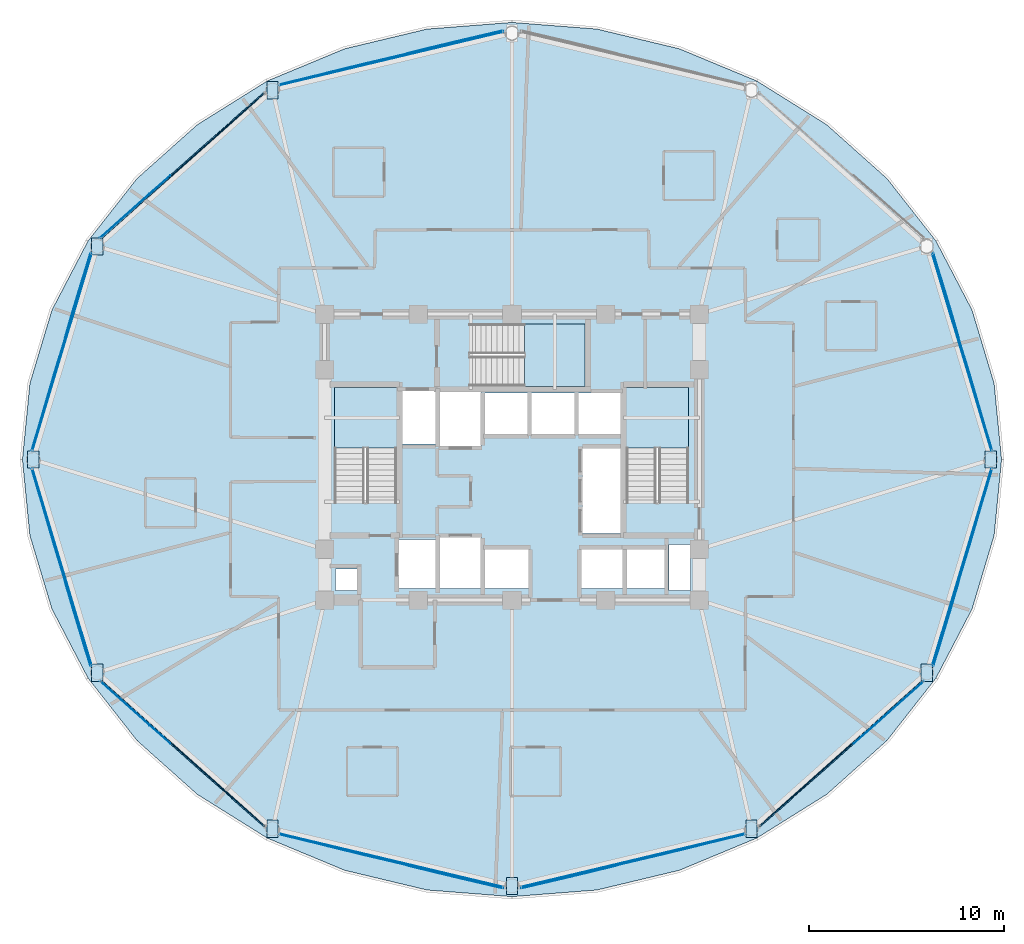
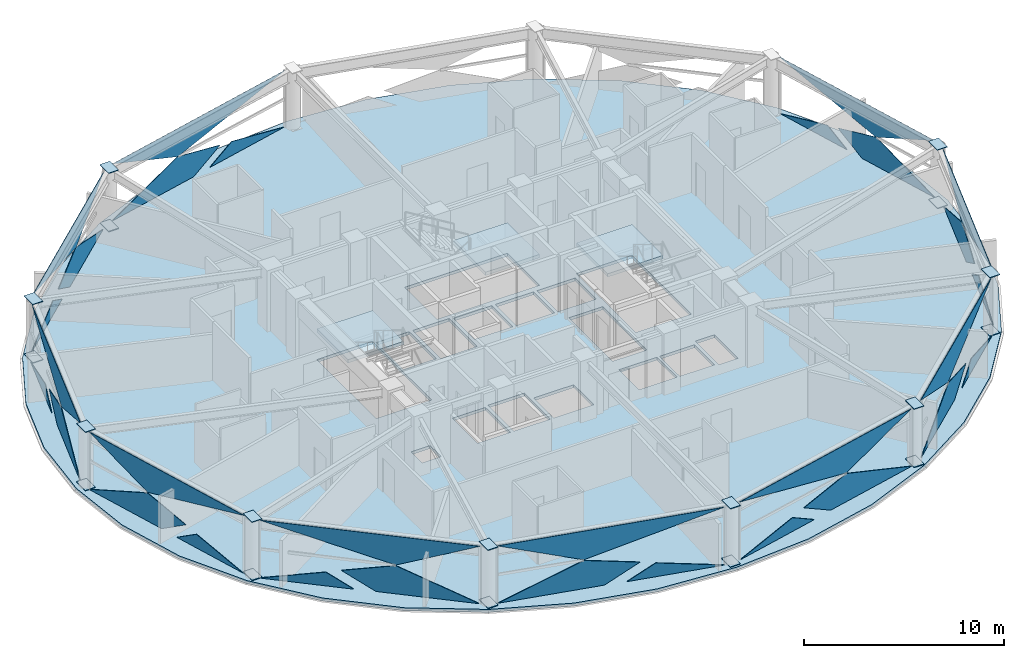
# One storey, part 21 of 29: 48 plates, 4 slabs, 13 elements without a shape of their own.
"""IFC4 building model written with IfcOpenShell, lengths in metres."""

from ifc_helpers import new_model, si_unit, direction, frame, origin, place, context, subcontext, project, spatial, polyline, outline, extrude, material, layer, layer_set, type_object, element, aggregate, save


model = new_model("IFC4")

# Units and contexts
model_context = context("Model", 3, precision=1e-05, world=origin(), true_north=direction((0.0, 1.0)))
body_context = subcontext(model_context, "Body", "Model", "MODEL_VIEW")
ifc_project = project(units=[si_unit("LENGTHUNIT", "METRE"), si_unit("AREAUNIT", "SQUARE_METRE"), si_unit("VOLUMEUNIT", "CUBIC_METRE"), si_unit("PLANEANGLEUNIT", "RADIAN"), si_unit("MASSUNIT", "GRAM", prefix="KILO")], contexts=[model_context])

# Site, building, storey
site_placement = place(None, origin())
site = spatial("IfcSite", under=ifc_project, at=site_placement, CompositionType="ELEMENT")
building_placement = place(site_placement, origin())
building = spatial("IfcBuilding", under=site, at=building_placement, Name="Vantalir Tower", CompositionType="ELEMENT")
storey_placement = place(building_placement, frame((0.0, 0.0, 168.449951171875)))
storey = spatial("IfcBuildingStorey", under=building, at=storey_placement, Name="L42", CompositionType="ELEMENT", Elevation=168.449951171875)

# Curtain wall, plates
ifc_material_1 = material(Name="Champagne-silver PVDF aluminium and double-silver Low-E glass", Category="aluminium")
ifc_layer_1 = layer(ifc_material_1, 0.199951171875)
ifc_layer_set_1 = layer_set([ifc_layer_1], Name="Champagne-silver PVDF aluminium and double-silver Low-E glass")
curtain_wall_type = type_object("IfcCurtainWallType", Name="CW-DIAMOND-Z2", PredefinedType="USERDEFINED", material=ifc_layer_set_1)
curtain_wall_1_placement = place(storey_placement, origin())
curtain_wall_1 = element("IfcCurtainWall", 1, at=curtain_wall_1_placement, inside=storey, type_object=curtain_wall_type, Name="L42 Quilted Pyramid-Diamond Curtain Wall S01", ObjectType="UNITISED CURTAIN WALL", PredefinedType="USERDEFINED")
ifc_material_2 = material(Name="Double-silver Low-E laminated glass IGU", Category="glass")
ifc_layer_2 = layer(ifc_material_2, 0.028076171875)
ifc_layer_set_2 = layer_set([ifc_layer_2], Name="Double-silver Low-E laminated glass IGU")
plate_type_1 = type_object("IfcPlateType", Name="CWP-IGU-28", PredefinedType="CURTAIN_PANEL", material=ifc_layer_set_2)
plate_1_placement = place(storey_placement, frame((56.094970703125, 25.435546875, 0.046875), z_axis=(-0.957573752329, -0.287866085669, 0.013624447617), x_axis=(-0.287893445484, 0.957662446612, -4.8953519e-05)))
plate_1 = element("IfcPlate", 2, at=plate_1_placement, type_object=plate_type_1, Name="CW-L42-S01 Pyramid Diamond Facet 1L", PredefinedType="CURTAIN_PANEL", context=body_context, shape_type="SweptSolid", body=[
    extrude(outline(polyline([(0.0, 0.0), (4.978850109795575, 4.87890977618477e-18), (6.6471771189814195, -1.0382635694359499), (4.029203852133933, -1.7264321153298385), (0.0, 0.0)])), origin(), (0.0, 0.0, -1.0), 0.028076171875),
])
plate_2_placement = place(storey_placement, frame((54.3818359375, 31.2451171875, 0.046142578125), z_axis=(-0.957560150155, -0.287907960012, 0.013695451686), x_axis=(-0.287934964596, 0.957649965365, 0.0)))
plate_2 = element("IfcPlate", 3, at=plate_2_placement, type_object=plate_type_1, Name="CW-L42-S01 Pyramid Diamond Facet 1L Infill Light", PredefinedType="CURTAIN_PANEL", context=body_context, shape_type="SweptSolid", body=[
    extrude(outline(polyline([(0.0, 0.0), (4.53966717131275, 0.0), (1.3482225675450932, -0.8389458697972081), (0.0, 0.0)])), origin(), (0.0, 0.0, -1.0), 0.028076171875),
])
plate_3_placement = place(storey_placement, frame((53.0439453125, 35.583251953125, 3.5234375), z_axis=(0.957561552516, 0.287901671893, 0.013729547088), x_axis=(0.287929113413, -0.957651724333, -2.3039859e-05)))
plate_3 = element("IfcPlate", 4, at=plate_3_placement, type_object=plate_type_1, Name="CW-L42-S01 Pyramid Diamond Facet 2U", PredefinedType="CURTAIN_PANEL", context=body_context, shape_type="SweptSolid", body=[
    extrude(outline(polyline([(0.0, 0.0), (10.596446307439443, 1.805196617188365e-17), (6.5671986026156315, 1.7263297671545073), (0.0, 0.0)])), origin(), (0.0, 0.0, -1.0), 0.028076171875),
])
aggregate(curtain_wall_1, [plate_1, plate_2, plate_3])

curtain_wall_2_placement = place(storey_placement, origin())
curtain_wall_2 = element("IfcCurtainWall", 5, at=curtain_wall_2_placement, inside=storey, type_object=curtain_wall_type, Name="L42 Quilted Pyramid-Diamond Curtain Wall S04", ObjectType="UNITISED CURTAIN WALL", PredefinedType="USERDEFINED")
plate_4_placement = place(storey_placement, frame((24.989990234375, 45.48291015625, 0.046630859375), z_axis=(0.232304514351, -0.972546338374, 0.01371977873), x_axis=(-0.972637884866, -0.232326375865, 3.88302e-07)))
plate_4 = element("IfcPlate", 6, at=plate_4_placement, type_object=plate_type_1, Name="CW-L42-S04 Pyramid Diamond Facet 1L", PredefinedType="CURTAIN_PANEL", context=body_context, shape_type="SweptSolid", body=[
    extrude(outline(polyline([(0.0, 0.0), (5.562818435513051, 3.469446951953614e-18), (1.075435869081882, -1.7269687663563398), (-1.8428300382587348, -1.0376982006502644), (0.0, 0.0)])), origin(), (0.0, 0.0, -1.0), 0.028076171875),
])
plate_5_placement = place(storey_placement, frame((31.050048828125, 46.96337890625, 0.0458984375), z_axis=(0.232296528149, -0.972546549028, 0.013839544179), x_axis=(-0.972639853254, -0.232318130051, 4.8079083e-05)))
plate_5 = element("IfcPlate", 7, at=plate_5_placement, type_object=plate_type_1, Name="CW-L42-S04 Pyramid Diamond Facet 1L Infill Light", PredefinedType="CURTAIN_PANEL", context=body_context, shape_type="SweptSolid", body=[
    extrude(outline(polyline([(0.0, 0.0), (5.077896846634379, -3.957337929572091e-18), (3.577880417257544, -0.8448795979208542), (0.0, 0.0)])), origin(), (0.0, 0.0, -1.0), 0.028076171875),
])
plate_6_placement = place(storey_placement, frame((19.579345703125, 44.190673828125, 3.5234375), z_axis=(-0.232303023776, 0.972547910017, 0.013633336603), x_axis=(0.972638370644, 0.232324341217, 2.0687831e-05)))
plate_6 = element("IfcPlate", 8, at=plate_6_placement, type_object=plate_type_1, Name="CW-L42-S04 Pyramid Diamond Facet 2U", PredefinedType="CURTAIN_PANEL", context=body_context, shape_type="SweptSolid", body=[
    extrude(outline(polyline([(0.0, 0.0), (11.80117074424039, -3.144186300207963e-18), (4.487347462866584, 1.7270599844166414), (0.0, 0.0)])), origin(), (0.0, 0.0, -1.0), 0.028076171875),
])
aggregate(curtain_wall_2, [plate_4, plate_5, plate_6])

curtain_wall_3_placement = place(storey_placement, origin())
curtain_wall_3 = element("IfcCurtainWall", 9, at=curtain_wall_3_placement, inside=storey, type_object=curtain_wall_type, Name="L42 Quilted Pyramid-Diamond Curtain Wall S05", ObjectType="UNITISED CURTAIN WALL", PredefinedType="USERDEFINED")
plate_7_placement = place(storey_placement, frame((18.79736328125, 43.7822265625, 0.046630859375), z_axis=(0.66529281519, -0.74645528551, 0.013783206841), x_axis=(-0.746526202019, -0.665356017257, 1.97824e-07)))
plate_7 = element("IfcPlate", 10, at=plate_7_placement, type_object=plate_type_1, Name="CW-L42-S05 Pyramid Diamond Facet 1L", PredefinedType="CURTAIN_PANEL", context=body_context, shape_type="SweptSolid", body=[
    extrude(outline(polyline([(0.0, 0.0), (5.277305557167832, -6.938893903907228e-18), (7.035841318259357, -1.0384273294963968), (4.267792330551532, -1.726726726497914), (0.0, 0.0)])), origin(), (0.0, 0.0, -1.0), 0.028076171875),
])
plate_8_placement = place(storey_placement, frame((13.999755859375, 39.54931640625, 0.046142578125), z_axis=(0.66528929242, -0.74646046733, 0.013672165296), x_axis=(-0.746530244333, -0.665351481772, 0.0)))
plate_8 = element("IfcPlate", 11, at=plate_8_placement, type_object=plate_type_1, Name="CW-L42-S05 Pyramid Diamond Facet 1L Infill Light", PredefinedType="CURTAIN_PANEL", context=body_context, shape_type="SweptSolid", body=[
    extrude(outline(polyline([(0.0, 0.0), (4.814918684356959, -6.938893903907228e-18), (1.4267219611490356, -0.8423638906720254), (0.0, 0.0)])), origin(), (0.0, 0.0, -1.0), 0.028076171875),
])
plate_9_placement = place(storey_placement, frame((10.426513671875, 36.32177734375, 3.523681640625), z_axis=(-0.665280940162, 0.746465782553, 0.013787898117), x_axis=(0.746536546597, 0.665344410153, -2.1773166e-05)))
plate_9 = element("IfcPlate", 12, at=plate_9_placement, type_object=plate_type_1, Name="CW-L42-S05 Pyramid Diamond Facet 2U", PredefinedType="CURTAIN_PANEL", context=body_context, shape_type="SweptSolid", body=[
    extrude(outline(polyline([(0.0, 0.0), (11.212913349702017, -6.451002926288751e-18), (6.945158583752432, 1.72681957024127), (0.0, 0.0)])), origin(), (0.0, 0.0, -1.0), 0.028076171875),
])
aggregate(curtain_wall_3, [plate_7, plate_8, plate_9])

curtain_wall_4_placement = place(storey_placement, origin())
curtain_wall_4 = element("IfcCurtainWall", 13, at=curtain_wall_4_placement, inside=storey, type_object=curtain_wall_type, Name="L42 Quilted Pyramid-Diamond Curtain Wall S06", ObjectType="UNITISED CURTAIN WALL", PredefinedType="USERDEFINED")
plate_10_placement = place(storey_placement, frame((8.33837890625, 30.20361328125, 0.046630859375), z_axis=(0.957573752329, -0.287866085669, 0.013624447617), x_axis=(-0.287893445484, -0.957662446612, 4.8953519e-05)))
plate_10 = element("IfcPlate", 14, at=plate_10_placement, type_object=plate_type_1, Name="CW-L42-S06 Pyramid Diamond Facet 1L", PredefinedType="CURTAIN_PANEL", context=body_context, shape_type="SweptSolid", body=[
    extrude(outline(polyline([(0.0, 0.0), (4.978850109795575, -4.87890977618477e-18), (0.9496462576616409, -1.7264321153298383), (-1.668327009185845, -1.0382635694359499), (0.0, 0.0)])), origin(), (0.0, 0.0, -1.0), 0.028076171875),
])
plate_11_placement = place(storey_placement, frame((9.92529296875, 35.592529296875, 0.046142578125), z_axis=(0.957560150155, -0.287907960012, 0.013695451686), x_axis=(-0.287934964596, -0.957649965365, 0.0)))
plate_11 = element("IfcPlate", 15, at=plate_11_placement, type_object=plate_type_1, Name="CW-L42-S06 Pyramid Diamond Facet 1L Infill Light", PredefinedType="CURTAIN_PANEL", context=body_context, shape_type="SweptSolid", body=[
    extrude(outline(polyline([(0.0, 0.0), (4.53966717131275, 0.0), (3.1914446037676574, -0.8389458697972081), (0.0, 0.0)])), origin(), (0.0, 0.0, -1.0), 0.028076171875),
])
plate_12_placement = place(storey_placement, frame((6.905029296875, 25.435546875, 3.523193359375), z_axis=(-0.957561552516, 0.287901671893, 0.013729547088), x_axis=(0.287929113413, 0.957651724333, 2.3039859e-05)))
plate_12 = element("IfcPlate", 16, at=plate_12_placement, type_object=plate_type_1, Name="CW-L42-S06 Pyramid Diamond Facet 2U", PredefinedType="CURTAIN_PANEL", context=body_context, shape_type="SweptSolid", body=[
    extrude(outline(polyline([(0.0, 0.0), (10.596446307439443, -1.805196617188365e-17), (4.0292477048238124, 1.7263297671545075), (0.0, 0.0)])), origin(), (0.0, 0.0, -1.0), 0.028076171875),
])
aggregate(curtain_wall_4, [plate_10, plate_11, plate_12])

curtain_wall_5_placement = place(storey_placement, origin())
curtain_wall_5 = element("IfcCurtainWall", 17, at=curtain_wall_5_placement, inside=storey, type_object=curtain_wall_type, Name="L42 Quilted Pyramid-Diamond Curtain Wall S07", ObjectType="UNITISED CURTAIN WALL", PredefinedType="USERDEFINED")
plate_13_placement = place(storey_placement, frame((6.905029296875, 24.564453125, 0.046875), z_axis=(0.957573752329, 0.287866085669, 0.013624447617), x_axis=(0.287893445484, -0.957662446612, -4.8953519e-05)))
plate_13 = element("IfcPlate", 18, at=plate_13_placement, type_object=plate_type_1, Name="CW-L42-S07 Pyramid Diamond Facet 1L", PredefinedType="CURTAIN_PANEL", context=body_context, shape_type="SweptSolid", body=[
    extrude(outline(polyline([(0.0, 0.0), (4.978850109795575, 4.87890977618477e-18), (6.6471771189814195, -1.0382635694359499), (4.029203852133933, -1.7264321153298385), (0.0, 0.0)])), origin(), (0.0, 0.0, -1.0), 0.028076171875),
])
plate_14_placement = place(storey_placement, frame((8.6181640625, 18.7548828125, 0.046142578125), z_axis=(0.957560150155, 0.287907960012, 0.013695451686), x_axis=(0.287934964596, -0.957649965365, 0.0)))
plate_14 = element("IfcPlate", 19, at=plate_14_placement, type_object=plate_type_1, Name="CW-L42-S07 Pyramid Diamond Facet 1L Infill Light", PredefinedType="CURTAIN_PANEL", context=body_context, shape_type="SweptSolid", body=[
    extrude(outline(polyline([(0.0, 0.0), (4.53966717131275, 0.0), (1.3482225675450932, -0.8389458697972081), (0.0, 0.0)])), origin(), (0.0, 0.0, -1.0), 0.028076171875),
])
plate_15_placement = place(storey_placement, frame((9.9560546875, 14.416748046875, 3.5234375), z_axis=(-0.957561552516, -0.287901671893, 0.013729547088), x_axis=(-0.287929113413, 0.957651724333, -2.3039859e-05)))
plate_15 = element("IfcPlate", 20, at=plate_15_placement, type_object=plate_type_1, Name="CW-L42-S07 Pyramid Diamond Facet 2U", PredefinedType="CURTAIN_PANEL", context=body_context, shape_type="SweptSolid", body=[
    extrude(outline(polyline([(0.0, 0.0), (10.596446307439443, 1.805196617188365e-17), (6.5671986026156315, 1.7263297671545073), (0.0, 0.0)])), origin(), (0.0, 0.0, -1.0), 0.028076171875),
])
aggregate(curtain_wall_5, [plate_13, plate_14, plate_15])

curtain_wall_6_placement = place(storey_placement, origin())
curtain_wall_6 = element("IfcCurtainWall", 21, at=curtain_wall_6_placement, inside=storey, type_object=curtain_wall_type, Name="L42 Quilted Pyramid-Diamond Curtain Wall S08", ObjectType="UNITISED CURTAIN WALL", PredefinedType="USERDEFINED")
plate_16_placement = place(storey_placement, frame((14.857666015625, 9.72900390625, 0.046630859375), z_axis=(0.66529281519, 0.74645528551, 0.013783206841), x_axis=(0.746526202019, -0.665356017257, -1.97824e-07)))
plate_16 = element("IfcPlate", 22, at=plate_16_placement, type_object=plate_type_1, Name="CW-L42-S08 Pyramid Diamond Facet 1L", PredefinedType="CURTAIN_PANEL", context=body_context, shape_type="SweptSolid", body=[
    extrude(outline(polyline([(0.0, 0.0), (5.277305557167832, 6.938893903907228e-18), (1.0095132266163, -1.726726726497914), (-1.758535761091525, -1.0384273294963968), (0.0, 0.0)])), origin(), (0.0, 0.0, -1.0), 0.028076171875),
])
plate_17_placement = place(storey_placement, frame((10.4052734375, 13.654296875, 0.046142578125), z_axis=(0.66528929242, 0.74646046733, 0.013672165296), x_axis=(0.746530244333, -0.665351481772, 0.0)))
plate_17 = element("IfcPlate", 23, at=plate_17_placement, type_object=plate_type_1, Name="CW-L42-S08 Pyramid Diamond Facet 1L Infill Light", PredefinedType="CURTAIN_PANEL", context=body_context, shape_type="SweptSolid", body=[
    extrude(outline(polyline([(0.0, 0.0), (4.814918684356959, 6.938893903907228e-18), (3.388196723207924, -0.8423638906720254), (0.0, 0.0)])), origin(), (0.0, 0.0, -1.0), 0.028076171875),
])
plate_18_placement = place(storey_placement, frame((18.79736328125, 6.2177734375, 3.5234375), z_axis=(-0.665280940162, -0.746465782553, 0.013787898117), x_axis=(-0.746536546597, 0.665344410153, 2.1773166e-05)))
plate_18 = element("IfcPlate", 24, at=plate_18_placement, type_object=plate_type_1, Name="CW-L42-S08 Pyramid Diamond Facet 2U", PredefinedType="CURTAIN_PANEL", context=body_context, shape_type="SweptSolid", body=[
    extrude(outline(polyline([(0.0, 0.0), (11.212913349702017, 6.451002926288751e-18), (4.267754765949586, 1.72681957024127), (0.0, 0.0)])), origin(), (0.0, 0.0, -1.0), 0.028076171875),
])
aggregate(curtain_wall_6, [plate_16, plate_17, plate_18])

curtain_wall_7_placement = place(storey_placement, origin())
curtain_wall_7 = element("IfcCurtainWall", 25, at=curtain_wall_7_placement, inside=storey, type_object=curtain_wall_type, Name="L42 Quilted Pyramid-Diamond Curtain Wall S09", ObjectType="UNITISED CURTAIN WALL", PredefinedType="USERDEFINED")
plate_19_placement = place(storey_placement, frame((19.579345703125, 5.809326171875, 0.046630859375), z_axis=(0.232304514351, 0.972546338374, 0.01371977873), x_axis=(0.972637884866, -0.232326375865, -3.88302e-07)))
plate_19 = element("IfcPlate", 26, at=plate_19_placement, type_object=plate_type_1, Name="CW-L42-S09 Pyramid Diamond Facet 1L", PredefinedType="CURTAIN_PANEL", context=body_context, shape_type="SweptSolid", body=[
    extrude(outline(polyline([(0.0, 0.0), (5.562818435513051, -3.469446951953614e-18), (7.405648473771786, -1.0376982006502644), (4.487382566431169, -1.7269687663563398), (0.0, 0.0)])), origin(), (0.0, 0.0, -1.0), 0.028076171875),
])
plate_20_placement = place(storey_placement, frame((26.111083984375, 4.21630859375, 0.046142578125), z_axis=(0.232296528149, 0.972546549028, 0.013839544179), x_axis=(0.972639853254, -0.232318130051, -4.8079083e-05)))
plate_20 = element("IfcPlate", 27, at=plate_20_placement, type_object=plate_type_1, Name="CW-L42-S09 Pyramid Diamond Facet 1L Infill Light", PredefinedType="CURTAIN_PANEL", context=body_context, shape_type="SweptSolid", body=[
    extrude(outline(polyline([(0.0, 0.0), (5.077896846634379, 3.957337929572091e-18), (1.5000164293768345, -0.8448795979208542), (0.0, 0.0)])), origin(), (0.0, 0.0, -1.0), 0.028076171875),
])
plate_21_placement = place(storey_placement, frame((31.0576171875, 3.067626953125, 3.523681640625), z_axis=(-0.232303023776, -0.972547910017, 0.013633336603), x_axis=(-0.972638370644, 0.232324341217, -2.0687831e-05)))
plate_21 = element("IfcPlate", 28, at=plate_21_placement, type_object=plate_type_1, Name="CW-L42-S09 Pyramid Diamond Facet 2U", PredefinedType="CURTAIN_PANEL", context=body_context, shape_type="SweptSolid", body=[
    extrude(outline(polyline([(0.0, 0.0), (11.80117074424039, 3.144186300207963e-18), (7.313823281373806, 1.7270599844166414), (0.0, 0.0)])), origin(), (0.0, 0.0, -1.0), 0.028076171875),
])
aggregate(curtain_wall_7, [plate_19, plate_20, plate_21])

curtain_wall_8_placement = place(storey_placement, origin())
curtain_wall_8 = element("IfcCurtainWall", 29, at=curtain_wall_8_placement, inside=storey, type_object=curtain_wall_type, Name="L42 Quilted Pyramid-Diamond Curtain Wall S10", ObjectType="UNITISED CURTAIN WALL", PredefinedType="USERDEFINED")
plate_22_placement = place(storey_placement, frame((38.010009765625, 4.51708984375, 0.046630859375), z_axis=(-0.232304514351, 0.972546338374, 0.01371977873), x_axis=(0.972637884866, 0.232326375865, 3.88302e-07)))
plate_22 = element("IfcPlate", 30, at=plate_22_placement, type_object=plate_type_1, Name="CW-L42-S10 Pyramid Diamond Facet 1L", PredefinedType="CURTAIN_PANEL", context=body_context, shape_type="SweptSolid", body=[
    extrude(outline(polyline([(0.0, 0.0), (5.562818435513051, 3.469446951953614e-18), (1.075435869081882, -1.7269687663563398), (-1.8428300382587348, -1.0376982006502644), (0.0, 0.0)])), origin(), (0.0, 0.0, -1.0), 0.028076171875),
])
plate_23_placement = place(storey_placement, frame((31.949951171875, 3.03662109375, 0.0458984375), z_axis=(-0.232296528149, 0.972546549028, 0.013839544179), x_axis=(0.972639853254, 0.232318130051, 4.8079083e-05)))
plate_23 = element("IfcPlate", 31, at=plate_23_placement, type_object=plate_type_1, Name="CW-L42-S10 Pyramid Diamond Facet 1L Infill Light", PredefinedType="CURTAIN_PANEL", context=body_context, shape_type="SweptSolid", body=[
    extrude(outline(polyline([(0.0, 0.0), (5.077896846634379, -3.957337929572091e-18), (3.577880417257544, -0.8448795979208542), (0.0, 0.0)])), origin(), (0.0, 0.0, -1.0), 0.028076171875),
])
plate_24_placement = place(storey_placement, frame((43.420654296875, 5.809326171875, 3.5234375), z_axis=(0.232303023776, -0.972547910017, 0.013633336603), x_axis=(-0.972638370644, -0.232324341217, 2.0687831e-05)))
plate_24 = element("IfcPlate", 32, at=plate_24_placement, type_object=plate_type_1, Name="CW-L42-S10 Pyramid Diamond Facet 2U", PredefinedType="CURTAIN_PANEL", context=body_context, shape_type="SweptSolid", body=[
    extrude(outline(polyline([(0.0, 0.0), (11.80117074424039, -3.144186300207963e-18), (4.487347462866584, 1.7270599844166414), (0.0, 0.0)])), origin(), (0.0, 0.0, -1.0), 0.028076171875),
])
aggregate(curtain_wall_8, [plate_22, plate_23, plate_24])

curtain_wall_9_placement = place(storey_placement, origin())
curtain_wall_9 = element("IfcCurtainWall", 33, at=curtain_wall_9_placement, inside=storey, type_object=curtain_wall_type, Name="L42 Quilted Pyramid-Diamond Curtain Wall S11", ObjectType="UNITISED CURTAIN WALL", PredefinedType="USERDEFINED")
plate_25_placement = place(storey_placement, frame((44.20263671875, 6.2177734375, 0.046630859375), z_axis=(-0.66529281519, 0.74645528551, 0.013783206841), x_axis=(0.746526202019, 0.665356017257, 1.97824e-07)))
plate_25 = element("IfcPlate", 34, at=plate_25_placement, type_object=plate_type_1, Name="CW-L42-S11 Pyramid Diamond Facet 1L", PredefinedType="CURTAIN_PANEL", context=body_context, shape_type="SweptSolid", body=[
    extrude(outline(polyline([(0.0, 0.0), (5.277305557167832, -6.938893903907228e-18), (7.035841318259357, -1.0384273294963968), (4.267792330551532, -1.726726726497914), (0.0, 0.0)])), origin(), (0.0, 0.0, -1.0), 0.028076171875),
])
plate_26_placement = place(storey_placement, frame((49.000244140625, 10.45068359375, 0.046142578125), z_axis=(-0.66528929242, 0.74646046733, 0.013672165296), x_axis=(0.746530244333, 0.665351481772, 0.0)))
plate_26 = element("IfcPlate", 35, at=plate_26_placement, type_object=plate_type_1, Name="CW-L42-S11 Pyramid Diamond Facet 1L Infill Light", PredefinedType="CURTAIN_PANEL", context=body_context, shape_type="SweptSolid", body=[
    extrude(outline(polyline([(0.0, 0.0), (4.814918684356959, -6.938893903907228e-18), (1.4267219611490356, -0.8423638906720254), (0.0, 0.0)])), origin(), (0.0, 0.0, -1.0), 0.028076171875),
])
plate_27_placement = place(storey_placement, frame((52.573486328125, 13.67822265625, 3.523681640625), z_axis=(0.665280940162, -0.746465782553, 0.013787898117), x_axis=(-0.746536546597, -0.665344410153, -2.1773166e-05)))
plate_27 = element("IfcPlate", 36, at=plate_27_placement, type_object=plate_type_1, Name="CW-L42-S11 Pyramid Diamond Facet 2U", PredefinedType="CURTAIN_PANEL", context=body_context, shape_type="SweptSolid", body=[
    extrude(outline(polyline([(0.0, 0.0), (11.212913349702017, -6.451002926288751e-18), (6.945158583752432, 1.72681957024127), (0.0, 0.0)])), origin(), (0.0, 0.0, -1.0), 0.028076171875),
])
aggregate(curtain_wall_9, [plate_25, plate_26, plate_27])

curtain_wall_10_placement = place(storey_placement, origin())
curtain_wall_10 = element("IfcCurtainWall", 37, at=curtain_wall_10_placement, inside=storey, type_object=curtain_wall_type, Name="L42 Quilted Pyramid-Diamond Curtain Wall S12", ObjectType="UNITISED CURTAIN WALL", PredefinedType="USERDEFINED")
plate_28_placement = place(storey_placement, frame((54.66162109375, 19.79638671875, 0.046630859375), z_axis=(-0.957573752329, 0.287866085669, 0.013624447617), x_axis=(0.287893445484, 0.957662446612, 4.8953519e-05)))
plate_28 = element("IfcPlate", 38, at=plate_28_placement, type_object=plate_type_1, Name="CW-L42-S12 Pyramid Diamond Facet 1L", PredefinedType="CURTAIN_PANEL", context=body_context, shape_type="SweptSolid", body=[
    extrude(outline(polyline([(0.0, 0.0), (4.978850109795575, -4.87890977618477e-18), (0.9496462576616409, -1.7264321153298383), (-1.668327009185845, -1.0382635694359499), (0.0, 0.0)])), origin(), (0.0, 0.0, -1.0), 0.028076171875),
])
plate_29_placement = place(storey_placement, frame((53.07470703125, 14.407470703125, 0.046142578125), z_axis=(-0.957560150155, 0.287907960012, 0.013695451686), x_axis=(0.287934964596, 0.957649965365, 0.0)))
plate_29 = element("IfcPlate", 39, at=plate_29_placement, type_object=plate_type_1, Name="CW-L42-S12 Pyramid Diamond Facet 1L Infill Light", PredefinedType="CURTAIN_PANEL", context=body_context, shape_type="SweptSolid", body=[
    extrude(outline(polyline([(0.0, 0.0), (4.53966717131275, 0.0), (3.1914446037676574, -0.8389458697972081), (0.0, 0.0)])), origin(), (0.0, 0.0, -1.0), 0.028076171875),
])
plate_30_placement = place(storey_placement, frame((56.094970703125, 24.564453125, 3.523193359375), z_axis=(0.957561552516, -0.287901671893, 0.013729547088), x_axis=(-0.287929113413, -0.957651724333, 2.3039859e-05)))
plate_30 = element("IfcPlate", 40, at=plate_30_placement, type_object=plate_type_1, Name="CW-L42-S12 Pyramid Diamond Facet 2U", PredefinedType="CURTAIN_PANEL", context=body_context, shape_type="SweptSolid", body=[
    extrude(outline(polyline([(0.0, 0.0), (10.596446307439443, -1.805196617188365e-17), (4.0292477048238124, 1.7263297671545075), (0.0, 0.0)])), origin(), (0.0, 0.0, -1.0), 0.028076171875),
])
aggregate(curtain_wall_10, [plate_28, plate_29, plate_30])

# Plates
ifc_material_3 = material(Name="Steel S460", Category="steel")
ifc_layer_3 = layer(ifc_material_3, 0.035888671875)
ifc_layer_set_3 = layer_set([ifc_layer_3], Name="Steel S460")
plate_type_2 = type_object("IfcPlateType", Name="PLT-KN-Z2", PredefinedType="USERDEFINED", material=ifc_layer_set_3)
for number, where, z_axis, x_axis, name in (
    (41, (55.74609375, 25.43994140625, 3.59814453125), (0.0, 0.0, 1.0), (0.0, -1.0, 0.0), "L42 Ring Column Top Cap RC01"),
    (42, (55.74609375, 25.43994140625, 0.052978515625), (0.0, 0.0, 1.0), (0.0, -1.0, 0.0), "L42 Ring Column Base Cap RC01"),
):
    element("IfcPlate", number, at=place(storey_placement, frame(where, z_axis=z_axis, x_axis=x_axis)), inside=storey, type_object=plate_type_2, Name=name, ObjectType="FLANGE_PLATE", PredefinedType="USERDEFINED", context=body_context, shape_type="SweptSolid", body=[
        extrude(outline(polyline([(0.0, 0.0), (0.8798828125, 0.0), (0.8798828125, 0.579833984375), (0.0, 0.579833984375), (0.0, 0.0)])), origin(), (0.0, 0.0, -1.0), 0.035888671875),
    ])
for number, where, z_axis, x_axis, name in (
    (43, (18.94189453125, 44.361083984375, 3.59814453125), (0.0, 0.0, 1.0), (0.0, -1.0, 0.0), "L42 Ring Column Top Cap RC05"),
    (44, (18.94189453125, 44.361083984375, 0.052978515625), (0.0, 0.0, 1.0), (0.0, -1.0, 0.0), "L42 Ring Column Base Cap RC05"),
    (45, (9.9609375, 36.364013671875, 3.59814453125), (0.0, 0.0, 1.0), (0.0, -1.0, 0.0), "L42 Ring Column Top Cap RC06"),
    (46, (9.9609375, 36.364013671875, 0.052978515625), (0.0, 0.0, 1.0), (0.0, -1.0, 0.0), "L42 Ring Column Base Cap RC06"),
):
    element("IfcPlate", number, at=place(storey_placement, frame(where, z_axis=z_axis, x_axis=x_axis)), inside=storey, type_object=plate_type_2, Name=name, ObjectType="FLANGE_PLATE", PredefinedType="USERDEFINED", context=body_context, shape_type="SweptSolid", body=[
        extrude(outline(polyline([(0.0, 0.0), (0.880126953125, 0.0), (0.880126953125, 0.580078125), (0.0, 0.580078125), (0.0, 0.0)])), origin(), (0.0, 0.0, -1.0), 0.035888671875),
    ])
for number, where, z_axis, x_axis, name in (
    (47, (6.674072265625, 25.43994140625, 3.59814453125), (0.0, 0.0, 1.0), (0.0, -1.0, 0.0), "L42 Ring Column Top Cap RC07"),
    (48, (6.674072265625, 25.43994140625, 0.052978515625), (0.0, 0.0, 1.0), (0.0, -1.0, 0.0), "L42 Ring Column Base Cap RC07"),
):
    element("IfcPlate", number, at=place(storey_placement, frame(where, z_axis=z_axis, x_axis=x_axis)), inside=storey, type_object=plate_type_2, Name=name, ObjectType="FLANGE_PLATE", PredefinedType="USERDEFINED", context=body_context, shape_type="SweptSolid", body=[
        extrude(outline(polyline([(0.0, 0.0), (0.8798828125, 0.0), (0.8798828125, 0.579833984375), (0.0, 0.579833984375), (0.0, 0.0)])), origin(), (0.0, 0.0, -1.0), 0.035888671875),
    ])
for number, where, z_axis, x_axis, name in (
    (49, (9.9609375, 14.51611328125, 3.59814453125), (0.0, 0.0, 1.0), (0.0, -1.0, 0.0), "L42 Ring Column Top Cap RC08"),
    (50, (9.9609375, 14.51611328125, 0.052978515625), (0.0, 0.0, 1.0), (0.0, -1.0, 0.0), "L42 Ring Column Base Cap RC08"),
    (51, (18.94189453125, 6.51904296875, 3.59814453125), (0.0, 0.0, 1.0), (0.0, -1.0, 0.0), "L42 Ring Column Top Cap RC09"),
    (52, (18.94189453125, 6.51904296875, 0.052978515625), (0.0, 0.0, 1.0), (0.0, -1.0, 0.0), "L42 Ring Column Base Cap RC09"),
    (53, (31.2099609375, 3.592041015625, 3.59814453125), (0.0, 0.0, 1.0), (0.0, -1.0, 0.0), "L42 Ring Column Top Cap RC10"),
    (54, (31.2099609375, 3.592041015625, 0.052978515625), (0.0, 0.0, 1.0), (0.0, -1.0, 0.0), "L42 Ring Column Base Cap RC10"),
    (55, (43.47802734375, 6.51904296875, 3.59814453125), (0.0, 0.0, 1.0), (0.0, -1.0, 0.0), "L42 Ring Column Top Cap RC11"),
    (56, (43.47802734375, 6.51904296875, 0.052978515625), (0.0, 0.0, 1.0), (0.0, -1.0, 0.0), "L42 Ring Column Base Cap RC11"),
    (57, (52.458984375, 14.51611328125, 3.59814453125), (0.0, 0.0, 1.0), (0.0, -1.0, 0.0), "L42 Ring Column Top Cap RC12"),
    (58, (52.458984375, 14.51611328125, 0.052978515625), (0.0, 0.0, 1.0), (0.0, -1.0, 0.0), "L42 Ring Column Base Cap RC12"),
):
    element("IfcPlate", number, at=place(storey_placement, frame(where, z_axis=z_axis, x_axis=x_axis)), inside=storey, type_object=plate_type_2, Name=name, ObjectType="FLANGE_PLATE", PredefinedType="USERDEFINED", context=body_context, shape_type="SweptSolid", body=[
        extrude(outline(polyline([(0.0, 0.0), (0.880126953125, 0.0), (0.880126953125, 0.580078125), (0.0, 0.580078125), (0.0, 0.0)])), origin(), (0.0, 0.0, -1.0), 0.035888671875),
    ])

# Stair, slab
ifc_material_4 = material(Name="Concrete C40/50", Category="concrete")
stair_type = type_object("IfcStairType", Name="STR-CORE-1450", PredefinedType="HALF_TURN_STAIR", material=ifc_material_4)
stair_1_placement = place(storey_placement, origin())
stair_1 = element("IfcStair", 59, at=stair_1_placement, inside=storey, type_object=stair_type, Name="L42 Core Exit Stair 1", PredefinedType="HALF_TURN_STAIR")
ifc_layer_4 = layer(ifc_material_4, 0.199951171875)
ifc_layer_set_4 = layer_set([ifc_layer_4], Name="Concrete C40/50")
slab_type_1 = type_object("IfcSlabType", Name="SL-LAND-200", PredefinedType="LANDING", material=ifc_layer_set_4)
slab_1_placement = place(storey_placement, frame((0.0, 0.0, 1.675048828125)))
slab_1 = element("IfcSlab", 60, at=slab_1_placement, type_object=slab_type_1, Name="ST1 landing 1", PredefinedType="LANDING", context=body_context, shape_type="SweptSolid", body=[
    extrude(outline(polyline([(25.60009765625, 25.590087890625), (25.60009765625, 28.699951171875), (22.39990234375, 28.699951171875), (22.39990234375, 25.590087890625), (25.60009765625, 25.590087890625)])), origin(), (0.0, 0.0, 1.0), 0.199951171875),
])
aggregate(stair_1, [slab_1])

stair_2_placement = place(storey_placement, origin())
stair_2 = element("IfcStair", 61, at=stair_2_placement, inside=storey, type_object=stair_type, Name="L42 Core Exit Stair 2", PredefinedType="HALF_TURN_STAIR")
slab_2_placement = place(storey_placement, frame((0.0, 0.0, 1.675048828125)))
slab_2 = element("IfcSlab", 62, at=slab_2_placement, type_object=slab_type_1, Name="ST2 landing 1", PredefinedType="LANDING", context=body_context, shape_type="SweptSolid", body=[
    extrude(outline(polyline([(40.550048828125, 25.590087890625), (40.550048828125, 28.699951171875), (37.35009765625, 28.699951171875), (37.35009765625, 25.590087890625), (40.550048828125, 25.590087890625)])), origin(), (0.0, 0.0, 1.0), 0.199951171875),
])
aggregate(stair_2, [slab_2])

stair_3_placement = place(storey_placement, origin())
stair_3 = element("IfcStair", 63, at=stair_3_placement, inside=storey, type_object=stair_type, Name="L42 Core Exit Stair 3", PredefinedType="HALF_TURN_STAIR")
slab_3_placement = place(storey_placement, frame((0.0, 0.0, 1.675048828125)))
slab_3 = element("IfcSlab", 64, at=slab_3_placement, type_object=slab_type_1, Name="ST3 landing 1", PredefinedType="LANDING", context=body_context, shape_type="SweptSolid", body=[
    extrude(outline(polyline([(32.139892578125, 28.75), (35.25, 28.75), (35.25, 31.949951171875), (32.139892578125, 31.949951171875), (32.139892578125, 28.75)])), origin(), (0.0, 0.0, 1.0), 0.199951171875),
])
aggregate(stair_3, [slab_3])

# Slab
ifc_layer_5 = layer(ifc_material_4, 0.179931640625)
ifc_layer_set_5 = layer_set([ifc_layer_5], Name="Concrete C40/50")
slab_type_2 = type_object("IfcSlabType", Name="SL-TWR-180", PredefinedType="FLOOR", material=ifc_layer_set_5)
slab_4_placement = place(storey_placement, frame((0.0, 0.0, -0.179931640625)))
element("IfcSlab", 65, at=slab_4_placement, inside=storey, type_object=slab_type_2, Name="L42 Primary Structural Slab", PredefinedType="FLOOR", context=body_context, shape_type="SweptSolid", body=[
    extrude(outline(polyline([(9.77490234375, 13.801025390625), (12.282958984375, 10.60302734375), (15.375, 7.842041015625), (18.95703125, 5.60302734375), (22.919921875, 3.952880859375), (27.14404296875, 2.94189453125), (31.5, 2.60205078125), (35.85595703125, 2.94189453125), (40.080078125, 3.952880859375), (44.04296875, 5.60302734375), (47.625, 7.842041015625), (50.717041015625, 10.60302734375), (53.22509765625, 13.801025390625), (55.072998046875, 17.339111328125), (56.205078125, 21.111083984375), (56.5859375, 25.0), (56.205078125, 28.888916015625), (55.072998046875, 32.660888671875), (53.22509765625, 36.198974609375), (50.717041015625, 39.39697265625), (47.625, 42.157958984375), (44.04296875, 44.39697265625), (40.080078125, 46.047119140625), (35.85595703125, 47.05810546875), (31.5, 47.39794921875), (27.14404296875, 47.05810546875), (22.919921875, 46.047119140625), (18.95703125, 44.39697265625), (15.375, 42.157958984375), (12.282958984375, 39.39697265625), (9.77490234375, 36.198974609375), (7.927001953125, 32.660888671875), (6.794921875, 28.888916015625), (6.4140625, 25.0), (6.794921875, 21.111083984375), (7.927001953125, 17.339111328125), (9.77490234375, 13.801025390625)]), holes=[polyline([(22.39990234375, 22.7900390625), (22.39990234375, 28.699951171875), (25.60009765625, 28.699951171875), (25.60009765625, 22.7900390625), (22.39990234375, 22.7900390625)]), polyline([(37.35009765625, 28.699951171875), (40.550048828125, 28.699951171875), (40.550048828125, 22.7900390625), (37.35009765625, 22.7900390625), (37.35009765625, 28.699951171875)]), polyline([(35.25, 28.75), (29.340087890625, 28.75), (29.340087890625, 31.949951171875), (35.25, 31.949951171875), (35.25, 28.75)]), polyline([(27.60009765625, 18.39990234375), (25.699951171875, 18.39990234375), (25.699951171875, 20.89990234375), (27.60009765625, 20.89990234375), (27.60009765625, 18.39990234375)]), polyline([(25.699951171875, 25.800048828125), (25.699951171875, 28.5), (27.60009765625, 28.5), (27.60009765625, 25.800048828125), (25.699951171875, 25.800048828125)]), polyline([(27.800048828125, 21.0), (29.89990234375, 21.0), (29.89990234375, 18.39990234375), (27.800048828125, 18.39990234375), (27.800048828125, 21.0)]), polyline([(29.89990234375, 28.5), (29.89990234375, 25.699951171875), (27.800048828125, 25.699951171875), (27.800048828125, 28.5), (29.89990234375, 28.5)]), polyline([(32.39990234375, 18.39990234375), (30.10009765625, 18.39990234375), (30.10009765625, 20.39990234375), (32.39990234375, 20.39990234375), (32.39990234375, 18.39990234375)]), polyline([(37.35009765625, 18.39990234375), (37.35009765625, 20.39990234375), (39.35009765625, 20.39990234375), (39.35009765625, 18.39990234375), (37.35009765625, 18.39990234375)]), polyline([(35.0, 20.39990234375), (37.199951171875, 20.39990234375), (37.199951171875, 18.39990234375), (35.0, 18.39990234375), (35.0, 20.39990234375)]), polyline([(32.300048828125, 28.39990234375), (32.300048828125, 26.300048828125), (30.10009765625, 26.300048828125), (30.10009765625, 28.39990234375), (32.300048828125, 28.39990234375)]), polyline([(34.699951171875, 26.300048828125), (32.5, 26.300048828125), (32.5, 28.39990234375), (34.699951171875, 28.39990234375), (34.699951171875, 26.300048828125)]), polyline([(34.89990234375, 26.300048828125), (34.89990234375, 28.39990234375), (37.10009765625, 28.39990234375), (37.10009765625, 26.300048828125), (34.89990234375, 26.300048828125)]), polyline([(35.10009765625, 25.56005859375), (37.06005859375, 25.56005859375), (37.06005859375, 21.199951171875), (35.10009765625, 21.199951171875), (35.10009765625, 25.56005859375)]), polyline([(23.550048828125, 19.39990234375), (23.550048828125, 18.300048828125), (22.449951171875, 18.300048828125), (22.449951171875, 19.39990234375), (23.550048828125, 19.39990234375)]), polyline([(40.64990234375, 18.300048828125), (39.550048828125, 18.300048828125), (39.550048828125, 20.64990234375), (40.64990234375, 20.64990234375), (40.64990234375, 18.300048828125)])]), origin(), (0.0, 0.0, 1.0), 0.179931640625),
])

save(model, "model.ifc")
